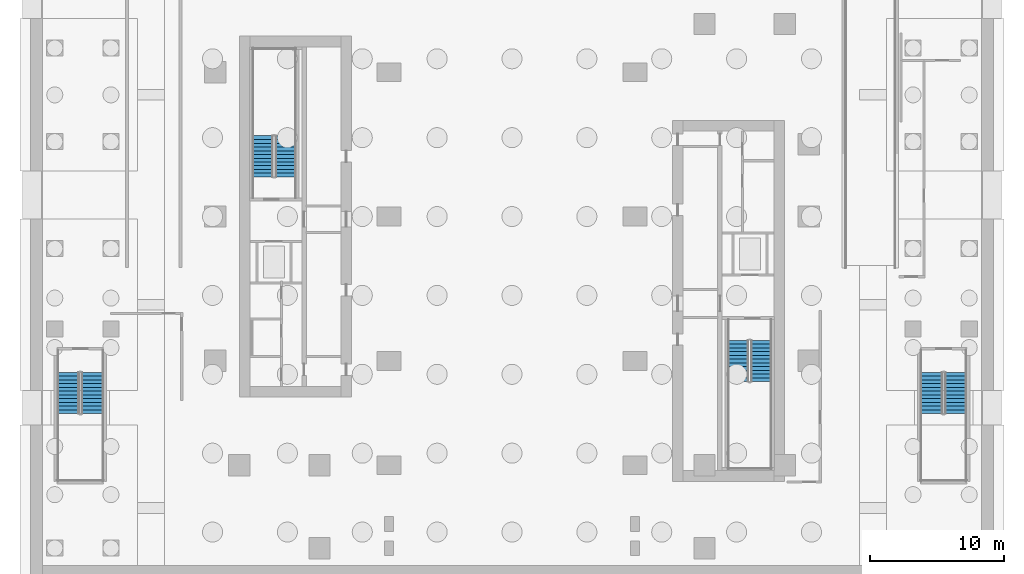
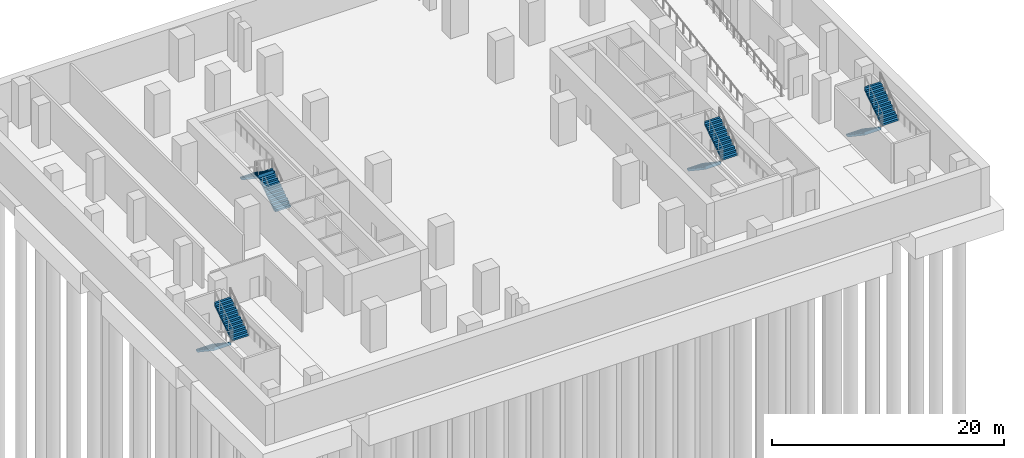
# One storey, part 8 of 15: 8 stair flights, 4 elements without a shape of their own.
"""IFC4 building model written with IfcOpenShell, lengths in metres."""

from ifc_helpers import new_model, si_unit, direction, frame, origin, place, context, subcontext, project, spatial, polyline, outline, extrude, material, layer, layer_set, type_object, element, aggregate, save


model = new_model("IFC4")

# Units and contexts
model_context = context("Model", 3, precision=1e-05, world=origin(), true_north=direction((0.0, 1.0)))
body_context = subcontext(model_context, "Body", "Model", "MODEL_VIEW")
ifc_project = project(units=[si_unit("LENGTHUNIT", "METRE"), si_unit("AREAUNIT", "SQUARE_METRE"), si_unit("VOLUMEUNIT", "CUBIC_METRE"), si_unit("PLANEANGLEUNIT", "RADIAN"), si_unit("MASSUNIT", "GRAM", prefix="KILO")], contexts=[model_context])

# Site, building, storey
site_placement = place(None, origin())
site = spatial("IfcSite", under=ifc_project, at=site_placement, CompositionType="ELEMENT")
building_placement = place(site_placement, origin())
building = spatial("IfcBuilding", under=site, at=building_placement, Name="Khairoan Windgate Tower", CompositionType="ELEMENT")
storey_placement = place(building_placement, frame((0.0, 0.0, -9.0)))
storey = spatial("IfcBuildingStorey", under=building, at=storey_placement, Name="B2", CompositionType="ELEMENT", Elevation=-9.0)

# Stair, stair flights
ifc_material_1 = material(Name="Concrete C40/50", Category="concrete")
stair_type_1 = type_object("IfcStairType", Name="Podium Exit Dog-Leg Stair ST-T2 1660mm", PredefinedType="HALF_TURN_STAIR", material=ifc_material_1)
stair_1_placement = place(storey_placement, origin())
stair_1 = element("IfcStair", 1, at=stair_1_placement, inside=storey, type_object=stair_type_1, Name="B2 Stair ST3", PredefinedType="HALF_TURN_STAIR")
ifc_material_2 = material(Name="Concrete C40/50", Category="concrete")
ifc_layer_1 = layer(ifc_material_2, 0.14990234375, Name="Concrete C40/50")
ifc_layer_set_1 = layer_set([ifc_layer_1], Name="Concrete C40/50")
stair_flight_type_1 = type_object("IfcStairFlightType", Name="Podium Stair Flight STF-1660", PredefinedType="STRAIGHT", material=ifc_layer_set_1)
stair_flight_1_placement = place(storey_placement, frame((31.3798828125, -11.659912109375, 0.0), z_axis=(0.0, 0.0, 1.0), x_axis=(0.0, -1.0, 0.0)))
stair_flight_1 = element("IfcStairFlight", 2, at=stair_flight_1_placement, type_object=stair_flight_type_1, Name="ST3 flight 1", NumberOfRisers=12, NumberOfTreads=11, PredefinedType="STRAIGHT", RiserHeight=0.1875, TreadLength=0.28, context=body_context, shape_type="SweptSolid", body=[
    extrude(outline(polyline([(-0.00390625, 0.0), (-0.00390625, 0.1875), (0.0, 0.1875), (0.280029296875, 0.1875), (0.280029296875, 0.375), (0.56005859375, 0.375), (0.56005859375, 0.5625), (0.840087890625, 0.5625), (0.840087890625, 0.75), (1.1201171875, 0.75), (1.1201171875, 0.9375), (1.39990234375, 0.9375), (1.39990234375, 1.125), (1.679931640625, 1.125), (1.679931640625, 1.3125), (1.9599609375, 1.3125), (1.9599609375, 1.5), (2.239990234375, 1.5), (2.239990234375, 1.6875), (2.52001953125, 1.6875), (2.52001953125, 1.875), (2.800048828125, 1.875), (2.800048828125, 2.0625), (3.080078125, 2.0625), (3.080078125, 2.25), (3.083984375, 2.25), (3.083984375, 1.882080078125), (0.26953125, 0.0), (-0.00390625, 0.0)])), frame((0.0, 0.830078125, 0.0), z_axis=(0.0, -1.0, 0.0), x_axis=(1.0, 0.0, 0.0)), (0.0, 0.0, 1.0), 1.659912109375),
])
stair_flight_2_placement = place(storey_placement, frame((33.18994140625, -14.739990234375, 2.25), z_axis=(0.0, 0.0, 1.0), x_axis=(0.0, 1.0, 0.0)))
stair_flight_2 = element("IfcStairFlight", 3, at=stair_flight_2_placement, type_object=stair_flight_type_1, Name="ST3 flight 2", NumberOfRisers=12, NumberOfTreads=11, PredefinedType="STRAIGHT", RiserHeight=0.1875, TreadLength=0.28, context=body_context, shape_type="SweptSolid", body=[
    extrude(outline(polyline([(-0.00390625, 0.0), (-0.00390625, 0.1875), (0.0, 0.1875), (0.280029296875, 0.1875), (0.280029296875, 0.375), (0.56005859375, 0.375), (0.56005859375, 0.5625), (0.840087890625, 0.5625), (0.840087890625, 0.75), (1.1201171875, 0.75), (1.1201171875, 0.9375), (1.39990234375, 0.9375), (1.39990234375, 1.125), (1.679931640625, 1.125), (1.679931640625, 1.3125), (1.9599609375, 1.3125), (1.9599609375, 1.5), (2.239990234375, 1.5), (2.239990234375, 1.6875), (2.52001953125, 1.6875), (2.52001953125, 1.875), (2.800048828125, 1.875), (2.800048828125, 2.0625), (3.080078125, 2.0625), (3.080078125, 2.25), (3.083984375, 2.25), (3.083984375, 1.882080078125), (0.26953125, 0.0), (-0.00390625, 0.0)])), frame((0.0, 0.830078125, 0.0), z_axis=(0.0, -1.0, 0.0), x_axis=(1.0, 0.0, 0.0)), (0.0, 0.0, 1.0), 1.659912109375),
])
aggregate(stair_1, [stair_flight_1, stair_flight_2])

stair_2_placement = place(storey_placement, origin())
stair_2 = element("IfcStair", 4, at=stair_2_placement, inside=storey, type_object=stair_type_1, Name="B2 Stair ST4", PredefinedType="HALF_TURN_STAIR")
stair_flight_3_placement = place(storey_placement, frame((-33.18994140625, -11.659912109375, 0.0), z_axis=(0.0, 0.0, 1.0), x_axis=(0.0, -1.0, 0.0)))
stair_flight_3 = element("IfcStairFlight", 5, at=stair_flight_3_placement, type_object=stair_flight_type_1, Name="ST4 flight 1", NumberOfRisers=12, NumberOfTreads=11, PredefinedType="STRAIGHT", RiserHeight=0.1875, TreadLength=0.28, context=body_context, shape_type="SweptSolid", body=[
    extrude(outline(polyline([(-0.00390625, 0.0), (-0.00390625, 0.1875), (0.0, 0.1875), (0.280029296875, 0.1875), (0.280029296875, 0.375), (0.56005859375, 0.375), (0.56005859375, 0.5625), (0.840087890625, 0.5625), (0.840087890625, 0.75), (1.1201171875, 0.75), (1.1201171875, 0.9375), (1.39990234375, 0.9375), (1.39990234375, 1.125), (1.679931640625, 1.125), (1.679931640625, 1.3125), (1.9599609375, 1.3125), (1.9599609375, 1.5), (2.239990234375, 1.5), (2.239990234375, 1.6875), (2.52001953125, 1.6875), (2.52001953125, 1.875), (2.800048828125, 1.875), (2.800048828125, 2.0625), (3.080078125, 2.0625), (3.080078125, 2.25), (3.083984375, 2.25), (3.083984375, 1.882080078125), (0.26953125, 0.0), (-0.00390625, 0.0)])), frame((0.0, 0.830078125, 0.0), z_axis=(0.0, -1.0, 0.0), x_axis=(1.0, 0.0, 0.0)), (0.0, 0.0, 1.0), 1.659912109375),
])
stair_flight_4_placement = place(storey_placement, frame((-31.3798828125, -14.739990234375, 2.25), z_axis=(0.0, 0.0, 1.0), x_axis=(0.0, 1.0, 0.0)))
stair_flight_4 = element("IfcStairFlight", 6, at=stair_flight_4_placement, type_object=stair_flight_type_1, Name="ST4 flight 2", NumberOfRisers=12, NumberOfTreads=11, PredefinedType="STRAIGHT", RiserHeight=0.1875, TreadLength=0.28, context=body_context, shape_type="SweptSolid", body=[
    extrude(outline(polyline([(-0.00390625, 0.0), (-0.00390625, 0.1875), (0.0, 0.1875), (0.280029296875, 0.1875), (0.280029296875, 0.375), (0.56005859375, 0.375), (0.56005859375, 0.5625), (0.840087890625, 0.5625), (0.840087890625, 0.75), (1.1201171875, 0.75), (1.1201171875, 0.9375), (1.39990234375, 0.9375), (1.39990234375, 1.125), (1.679931640625, 1.125), (1.679931640625, 1.3125), (1.9599609375, 1.3125), (1.9599609375, 1.5), (2.239990234375, 1.5), (2.239990234375, 1.6875), (2.52001953125, 1.6875), (2.52001953125, 1.875), (2.800048828125, 1.875), (2.800048828125, 2.0625), (3.080078125, 2.0625), (3.080078125, 2.25), (3.083984375, 2.25), (3.083984375, 1.882080078125), (0.26953125, 0.0), (-0.00390625, 0.0)])), frame((0.0, 0.830078125, 0.0), z_axis=(0.0, -1.0, 0.0), x_axis=(1.0, 0.0, 0.0)), (0.0, 0.0, 1.0), 1.659912109375),
])
aggregate(stair_2, [stair_flight_3, stair_flight_4])

ifc_material_3 = material(Name="Concrete C40/50", Category="concrete")
stair_type_2 = type_object("IfcStairType", Name="Tower Core Dog-Leg Stair ST-T1 1560mm", PredefinedType="HALF_TURN_STAIR", material=ifc_material_3)
stair_3_placement = place(storey_placement, origin())
stair_3 = element("IfcStair", 7, at=stair_3_placement, inside=storey, type_object=stair_type_2, Name="B2 Stair ST1", PredefinedType="HALF_TURN_STAIR")
ifc_material_4 = material(Name="Concrete C40/50", Category="concrete")
ifc_layer_2 = layer(ifc_material_4, 0.14990234375, Name="Concrete C40/50")
ifc_layer_set_2 = layer_set([ifc_layer_2], Name="Concrete C40/50")
stair_flight_type_2 = type_object("IfcStairFlightType", Name="Tower Core Stair Flight STF-1560", PredefinedType="STRAIGHT", material=ifc_layer_set_2)
stair_flight_5_placement = place(storey_placement, frame((16.929931640625, -9.260009765625, 0.0), z_axis=(0.0, 0.0, 1.0), x_axis=(0.0, -1.0, 0.0)))
stair_flight_5 = element("IfcStairFlight", 8, at=stair_flight_5_placement, type_object=stair_flight_type_2, Name="ST1 flight 1", NumberOfRisers=12, NumberOfTreads=11, PredefinedType="STRAIGHT", RiserHeight=0.1875, TreadLength=0.28, context=body_context, shape_type="SweptSolid", body=[
    extrude(outline(polyline([(-0.00390625, 0.0), (-0.00390625, 0.1875), (0.0, 0.1875), (0.280029296875, 0.1875), (0.280029296875, 0.375), (0.56005859375, 0.375), (0.56005859375, 0.5625), (0.840087890625, 0.5625), (0.840087890625, 0.75), (1.1201171875, 0.75), (1.1201171875, 0.9375), (1.39990234375, 0.9375), (1.39990234375, 1.125), (1.679931640625, 1.125), (1.679931640625, 1.3125), (1.9599609375, 1.3125), (1.9599609375, 1.5), (2.239990234375, 1.5), (2.239990234375, 1.6875), (2.52001953125, 1.6875), (2.52001953125, 1.875), (2.800048828125, 1.875), (2.800048828125, 2.0625), (3.080078125, 2.0625), (3.080078125, 2.25), (3.083984375, 2.25), (3.083984375, 1.882080078125), (0.26953125, 0.0), (-0.00390625, 0.0)])), frame((0.0, 0.780029296875, 0.0), z_axis=(0.0, -1.0, 0.0), x_axis=(1.0, 0.0, 0.0)), (0.0, 0.0, 1.0), 1.56005859375),
])
stair_flight_6_placement = place(storey_placement, frame((18.639892578125, -12.340087890625, 2.25), z_axis=(0.0, 0.0, 1.0), x_axis=(0.0, 1.0, 0.0)))
stair_flight_6 = element("IfcStairFlight", 9, at=stair_flight_6_placement, type_object=stair_flight_type_2, Name="ST1 flight 2", NumberOfRisers=12, NumberOfTreads=11, PredefinedType="STRAIGHT", RiserHeight=0.1875, TreadLength=0.28, context=body_context, shape_type="SweptSolid", body=[
    extrude(outline(polyline([(-0.00390625, 0.0), (-0.00390625, 0.1875), (0.0, 0.1875), (0.280029296875, 0.1875), (0.280029296875, 0.375), (0.56005859375, 0.375), (0.56005859375, 0.5625), (0.840087890625, 0.5625), (0.840087890625, 0.75), (1.1201171875, 0.75), (1.1201171875, 0.9375), (1.39990234375, 0.9375), (1.39990234375, 1.125), (1.679931640625, 1.125), (1.679931640625, 1.3125), (1.9599609375, 1.3125), (1.9599609375, 1.5), (2.239990234375, 1.5), (2.239990234375, 1.6875), (2.52001953125, 1.6875), (2.52001953125, 1.875), (2.800048828125, 1.875), (2.800048828125, 2.0625), (3.080078125, 2.0625), (3.080078125, 2.25), (3.083984375, 2.25), (3.083984375, 1.882080078125), (0.26953125, 0.0), (-0.00390625, 0.0)])), frame((0.0, 0.780029296875, 0.0), z_axis=(0.0, -1.0, 0.0), x_axis=(1.0, 0.0, 0.0)), (0.0, 0.0, 1.0), 1.56005859375),
])
aggregate(stair_3, [stair_flight_5, stair_flight_6])

stair_4_placement = place(storey_placement, origin())
stair_4 = element("IfcStair", 10, at=stair_4_placement, inside=storey, type_object=stair_type_2, Name="B2 Stair ST2", PredefinedType="HALF_TURN_STAIR")
stair_flight_7_placement = place(storey_placement, frame((-16.929931640625, 2.9599609375, 0.0), z_axis=(0.0, 0.0, 1.0), x_axis=(0.0, 1.0, 0.0)))
stair_flight_7 = element("IfcStairFlight", 11, at=stair_flight_7_placement, type_object=stair_flight_type_2, Name="ST2 flight 1", NumberOfRisers=12, NumberOfTreads=11, PredefinedType="STRAIGHT", RiserHeight=0.1875, TreadLength=0.28, context=body_context, shape_type="SweptSolid", body=[
    extrude(outline(polyline([(-0.00390625, 0.0), (-0.00390625, 0.1875), (0.0, 0.1875), (0.280029296875, 0.1875), (0.280029296875, 0.375), (0.56005859375, 0.375), (0.56005859375, 0.5625), (0.840087890625, 0.5625), (0.840087890625, 0.75), (1.1201171875, 0.75), (1.1201171875, 0.9375), (1.39990234375, 0.9375), (1.39990234375, 1.125), (1.679931640625, 1.125), (1.679931640625, 1.3125), (1.9599609375, 1.3125), (1.9599609375, 1.5), (2.239990234375, 1.5), (2.239990234375, 1.6875), (2.52001953125, 1.6875), (2.52001953125, 1.875), (2.800048828125, 1.875), (2.800048828125, 2.0625), (3.080078125, 2.0625), (3.080078125, 2.25), (3.083984375, 2.25), (3.083984375, 1.882080078125), (0.26953125, 0.0), (-0.00390625, 0.0)])), frame((0.0, 0.780029296875, 0.0), z_axis=(0.0, -1.0, 0.0), x_axis=(1.0, 0.0, 0.0)), (0.0, 0.0, 1.0), 1.56005859375),
])
stair_flight_8_placement = place(storey_placement, frame((-18.639892578125, 6.0400390625, 2.25), z_axis=(0.0, 0.0, 1.0), x_axis=(0.0, -1.0, 0.0)))
stair_flight_8 = element("IfcStairFlight", 12, at=stair_flight_8_placement, type_object=stair_flight_type_2, Name="ST2 flight 2", NumberOfRisers=12, NumberOfTreads=11, PredefinedType="STRAIGHT", RiserHeight=0.1875, TreadLength=0.28, context=body_context, shape_type="SweptSolid", body=[
    extrude(outline(polyline([(-0.00390625, 0.0), (-0.00390625, 0.1875), (0.0, 0.1875), (0.280029296875, 0.1875), (0.280029296875, 0.375), (0.56005859375, 0.375), (0.56005859375, 0.5625), (0.840087890625, 0.5625), (0.840087890625, 0.75), (1.1201171875, 0.75), (1.1201171875, 0.9375), (1.39990234375, 0.9375), (1.39990234375, 1.125), (1.679931640625, 1.125), (1.679931640625, 1.3125), (1.9599609375, 1.3125), (1.9599609375, 1.5), (2.239990234375, 1.5), (2.239990234375, 1.6875), (2.52001953125, 1.6875), (2.52001953125, 1.875), (2.800048828125, 1.875), (2.800048828125, 2.0625), (3.080078125, 2.0625), (3.080078125, 2.25), (3.083984375, 2.25), (3.083984375, 1.882080078125), (0.26953125, 0.0), (-0.00390625, 0.0)])), frame((0.0, 0.780029296875, 0.0), z_axis=(0.0, -1.0, 0.0), x_axis=(1.0, 0.0, 0.0)), (0.0, 0.0, 1.0), 1.56005859375),
])
aggregate(stair_4, [stair_flight_7, stair_flight_8])

save(model, "model.ifc")
